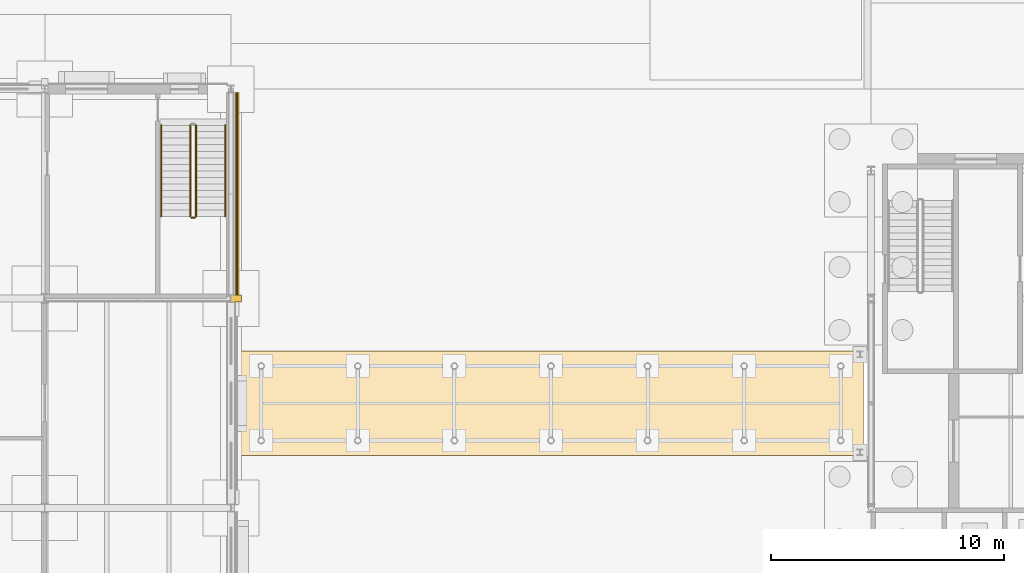
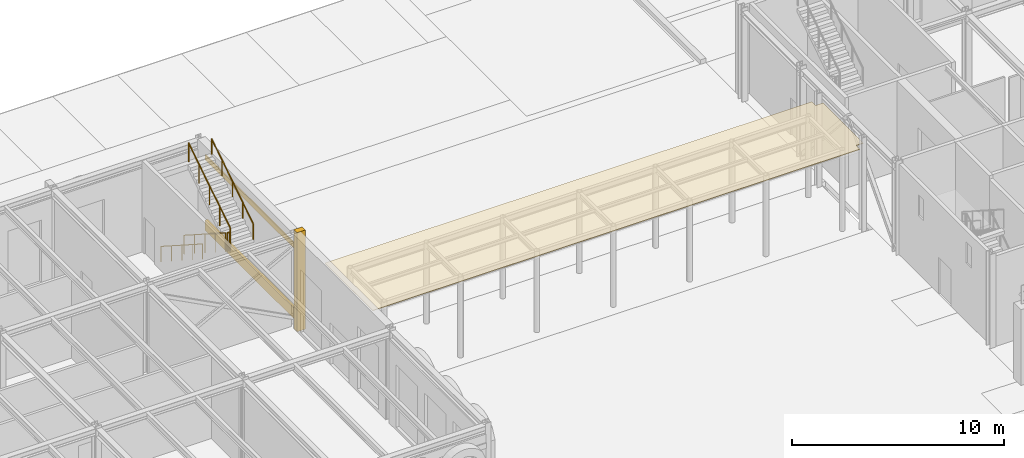
# One storey, part 109 of 126: 5 railings, 4 coverings.
"""IFC4 building model written with IfcOpenShell, lengths in metres."""

from ifc_helpers import new_model, si_unit, direction, frame, origin, origin_2d, place, context, subcontext, project, spatial, polyline, rectangle, circle, outline, extrude, material, layer, layer_set, type_object, element, save


model = new_model("IFC4")

# Units and contexts
model_context = context("Model", 3, precision=1e-05, world=origin(), true_north=direction((0.0, 1.0)))
body_context = subcontext(model_context, "Body", "Model", "MODEL_VIEW")
ifc_project = project(units=[si_unit("LENGTHUNIT", "METRE"), si_unit("AREAUNIT", "SQUARE_METRE"), si_unit("VOLUMEUNIT", "CUBIC_METRE"), si_unit("PLANEANGLEUNIT", "RADIAN"), si_unit("MASSUNIT", "GRAM", prefix="KILO")], contexts=[model_context])

# Site, building, storey
site_placement = place(None, origin())
site = spatial("IfcSite", under=ifc_project, at=site_placement, CompositionType="ELEMENT")
building_placement = place(site_placement, origin())
building = spatial("IfcBuilding", under=site, at=building_placement, Name="Kallimachos Central Library", CompositionType="ELEMENT")
storey_placement = place(building_placement, origin())
storey = spatial("IfcBuildingStorey", under=building, at=storey_placement, Name="L00", CompositionType="ELEMENT", Elevation=0.0)

# Covering
ifc_material_1 = material(Name="Glazed ceramic tile")
ifc_layer_1 = layer(ifc_material_1, 0.030029296875)
ifc_layer_set_1 = layer_set([ifc_layer_1], Name="Glazed ceramic roof tile")
covering_type_1 = type_object("IfcCoveringType", Name="Glazed ceramic roof tile", PredefinedType="ROOFING", material=ifc_layer_set_1)
covering_1_placement = place(storey_placement, frame((0.0, 0.0, 4.800048828125)))
element("IfcCovering", 1, at=covering_1_placement, inside=storey, type_object=covering_type_1, Name="Arcade A1 ceramic tile roof covering", PredefinedType="ROOFING", context=body_context, shape_type="SweptSolid", body=[
    extrude(outline(polyline([(38.300048828125, 98.25), (64.77490234375, 98.25), (64.77490234375, 98.60009765625), (65.175048828125, 98.60009765625), (65.175048828125, 102.39990234375), (64.77490234375, 102.39990234375), (64.77490234375, 102.75), (38.300048828125, 102.75), (38.300048828125, 98.25)])), origin(), (0.0, 0.0, 1.0), 0.030029296875),
])

# Railings
ifc_material_2 = material(Name="Steel S355J2", Category="steel")
railing_type_1 = type_object("IfcRailingType", Name="Stair guard 1100", PredefinedType="GUARDRAIL", material=ifc_material_2)
railing_1_placement = place(storey_placement, frame((36.25, 112.449951171875, 0.179931640625)))
element("IfcRailing", 2, at=railing_1_placement, inside=storey, type_object=railing_type_1, Name="L00 ST6 stair guard 1", PredefinedType="GUARDRAIL", context=body_context, shape_type="SweptSolid", body=[
    extrude(circle(Radius=0.02392578125, at=origin_2d()), frame((0.0, 0.0, 1.076171875), z_axis=(0.0, -0.841171666519, 0.540768182723), x_axis=(1.0, 0.0, 0.0)), (0.0, 0.0, 1.0), 4.66015625),
    extrude(circle(Radius=0.02099609375, at=origin_2d()), origin(), (0.0, 0.0, 1.0), 1.052001953125),
    extrude(circle(Radius=0.02099609375, at=origin_2d()), frame((0.0, -0.97998046875, 0.6298828125)), (0.0, 0.0, 1.0), 1.052001953125),
    extrude(circle(Radius=0.02099609375, at=origin_2d()), frame((0.0, -1.9599609375, 1.260009765625)), (0.0, 0.0, 1.0), 1.052001953125),
    extrude(circle(Radius=0.02099609375, at=origin_2d()), frame((0.0, -2.93994140625, 1.89013671875)), (0.0, 0.0, 1.0), 1.052001953125),
    extrude(circle(Radius=0.02099609375, at=origin_2d()), frame((0.0, -3.919921875, 2.52001953125)), (0.0, 0.0, 1.0), 1.052001953125),
])
railing_2_placement = place(storey_placement, frame((36.300048828125, 108.47998046875, 2.699951171875)))
element("IfcRailing", 3, at=railing_2_placement, inside=storey, type_object=railing_type_1, Name="L00 ST6 stair guard 2", PredefinedType="GUARDRAIL", context=body_context, shape_type="SweptSolid", body=[
    extrude(circle(Radius=0.02392578125, at=origin_2d()), frame((0.0, 0.0, 1.076171875), z_axis=(1.0, 0.0, 0.0), x_axis=(0.0, 1.0, 0.0)), (0.0, 0.0, 1.0), 0.14990234375),
    extrude(circle(Radius=0.02099609375, at=origin_2d()), origin(), (0.0, 0.0, 1.0), 1.052001953125),
    extrude(circle(Radius=0.02099609375, at=origin_2d()), frame((0.14990234375, 0.0, 0.0)), (0.0, 0.0, 1.0), 1.052001953125),
])
railing_3_placement = place(storey_placement, frame((36.5, 108.530029296875, 2.8798828125)))
element("IfcRailing", 4, at=railing_3_placement, inside=storey, type_object=railing_type_1, Name="L00 ST6 stair guard 3", PredefinedType="GUARDRAIL", context=body_context, shape_type="SweptSolid", body=[
    extrude(circle(Radius=0.02392578125, at=origin_2d()), frame((0.0, 0.0, 1.076171875), z_axis=(0.0, 0.841171666519, 0.540768182723), x_axis=(-1.0, 0.0, 0.0)), (0.0, 0.0, 1.0), 4.66015625),
    extrude(circle(Radius=0.02099609375, at=origin_2d()), origin(), (0.0, 0.0, 1.0), 1.052001953125),
    extrude(circle(Radius=0.02099609375, at=origin_2d()), frame((0.0, 0.97998046875, 0.6298828125)), (0.0, 0.0, 1.0), 1.052001953125),
    extrude(circle(Radius=0.02099609375, at=origin_2d()), frame((0.0, 1.9599609375, 1.260009765625)), (0.0, 0.0, 1.0), 1.052001953125),
    extrude(circle(Radius=0.02099609375, at=origin_2d()), frame((0.0, 2.93994140625, 1.89013671875)), (0.0, 0.0, 1.0), 1.052001953125),
    extrude(circle(Radius=0.02099609375, at=origin_2d()), frame((0.0, 3.919921875, 2.52001953125)), (0.0, 0.0, 1.0), 1.052001953125),
])
ifc_material_3 = material(Name="Steel S355J2", Category="steel")
railing_type_2 = type_object("IfcRailingType", Name="Stair handrail 900", PredefinedType="HANDRAIL", material=ifc_material_3)
railing_4_placement = place(storey_placement, frame((35.0, 112.449951171875, 0.179931640625)))
element("IfcRailing", 5, at=railing_4_placement, inside=storey, type_object=railing_type_2, Name="L00 ST6 stair handrail 1", PredefinedType="HANDRAIL", context=body_context, shape_type="SweptSolid", body=[
    extrude(circle(Radius=0.02392578125, at=origin_2d()), frame((0.0, 0.0, 0.8759765625), z_axis=(0.0, -0.841171666519, 0.540768182723), x_axis=(1.0, 0.0, 0.0)), (0.0, 0.0, 1.0), 4.66015625),
    extrude(circle(Radius=0.02099609375, at=origin_2d()), origin(), (0.0, 0.0, 1.0), 0.851806640625),
    extrude(circle(Radius=0.02099609375, at=origin_2d()), frame((0.0, -0.97998046875, 0.6298828125)), (0.0, 0.0, 1.0), 0.851806640625),
    extrude(circle(Radius=0.02099609375, at=origin_2d()), frame((0.0, -1.9599609375, 1.260009765625)), (0.0, 0.0, 1.0), 0.851806640625),
    extrude(circle(Radius=0.02099609375, at=origin_2d()), frame((0.0, -2.93994140625, 1.89013671875)), (0.0, 0.0, 1.0), 0.851806640625),
    extrude(circle(Radius=0.02099609375, at=origin_2d()), frame((0.0, -3.919921875, 2.52001953125)), (0.0, 0.0, 1.0), 0.851806640625),
])
railing_5_placement = place(storey_placement, frame((37.75, 108.530029296875, 2.8798828125)))
element("IfcRailing", 6, at=railing_5_placement, inside=storey, type_object=railing_type_2, Name="L00 ST6 stair handrail 2", PredefinedType="HANDRAIL", context=body_context, shape_type="SweptSolid", body=[
    extrude(circle(Radius=0.02392578125, at=origin_2d()), frame((0.0, 0.0, 0.8759765625), z_axis=(0.0, 0.841171666519, 0.540768182723), x_axis=(-1.0, 0.0, 0.0)), (0.0, 0.0, 1.0), 4.66015625),
    extrude(circle(Radius=0.02099609375, at=origin_2d()), origin(), (0.0, 0.0, 1.0), 0.851806640625),
    extrude(circle(Radius=0.02099609375, at=origin_2d()), frame((0.0, 0.97998046875, 0.6298828125)), (0.0, 0.0, 1.0), 0.851806640625),
    extrude(circle(Radius=0.02099609375, at=origin_2d()), frame((0.0, 1.9599609375, 1.260009765625)), (0.0, 0.0, 1.0), 0.851806640625),
    extrude(circle(Radius=0.02099609375, at=origin_2d()), frame((0.0, 2.93994140625, 1.89013671875)), (0.0, 0.0, 1.0), 0.851806640625),
    extrude(circle(Radius=0.02099609375, at=origin_2d()), frame((0.0, 3.919921875, 2.52001953125)), (0.0, 0.0, 1.0), 0.851806640625),
])

# Coverings
ifc_material_4 = material(Name="Pentelic marble pilaster", Category="masonry")
ifc_layer_2 = layer(ifc_material_4, 0.25)
ifc_layer_set_2 = layer_set([ifc_layer_2], Name="Stone pilaster 250")
covering_type_2 = type_object("IfcCoveringType", Name="Stone pilaster 250", PredefinedType="CLADDING", material=ifc_layer_set_2)
covering_2_placement = place(storey_placement, frame((38.22509765625, 105.0, -0.2998046875), z_axis=(0.0, 0.0, 1.0), x_axis=(1.0, 0.0, 0.0)))
element("IfcCovering", 7, at=covering_2_placement, inside=storey, type_object=covering_type_2, Name="Stone pilaster 250 -L00-017", PredefinedType="CLADDING", context=body_context, shape_type="SweptSolid", body=[
    extrude(rectangle(XDim=0.449951171875, YDim=0.300048828125, at=origin_2d()), origin(), (0.0, 0.0, 1.0), 5.699951171875),
])
ifc_material_5 = material(Name="Pentelic marble plinth course", Category="masonry")
ifc_layer_3 = layer(ifc_material_5, 0.14990234375)
ifc_layer_set_3 = layer_set([ifc_layer_3], Name="Stone plinth course 600")
covering_type_3 = type_object("IfcCoveringType", Name="Stone plinth course 600", PredefinedType="CLADDING", material=ifc_layer_set_3)
covering_3_placement = place(storey_placement, frame((38.27490234375, 109.5, 0.0), z_axis=(0.0, 0.0, 1.0), x_axis=(1.0, 0.0, 0.0)))
element("IfcCovering", 8, at=covering_3_placement, inside=storey, type_object=covering_type_3, Name="Stone plinth course 600 -L00-018", PredefinedType="CLADDING", context=body_context, shape_type="SweptSolid", body=[
    extrude(rectangle(XDim=0.14990234375, YDim=8.699951171875, at=origin_2d()), origin(), (0.0, 0.0, 1.0), 0.60009765625),
])
ifc_material_6 = material(Name="Pentelic marble", Category="masonry")
ifc_layer_4 = layer(ifc_material_6, 0.06005859375)
ifc_layer_set_4 = layer_set([ifc_layer_4], Name="Window head band")
covering_type_4 = type_object("IfcCoveringType", Name="Window head band", PredefinedType="MOLDING", material=ifc_layer_set_4)
covering_4_placement = place(storey_placement, frame((38.22998046875, 109.5, 4.0498046875), z_axis=(0.0, 0.0, 1.0), x_axis=(1.0, 0.0, 0.0)))
element("IfcCovering", 9, at=covering_4_placement, inside=storey, type_object=covering_type_4, Name="head band E105", PredefinedType="MOLDING", context=body_context, shape_type="SweptSolid", body=[
    extrude(rectangle(XDim=0.06005859375, YDim=8.699951171875, at=origin_2d()), origin(), (0.0, 0.0, 1.0), 0.300048828125),
])

save(model, "model.ifc")
